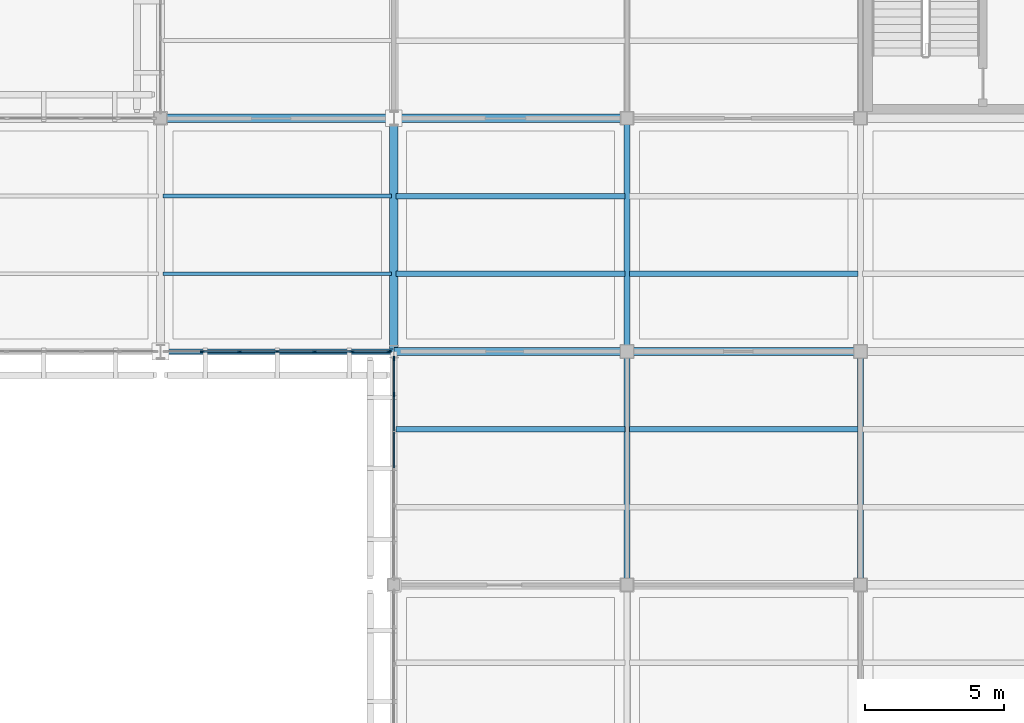
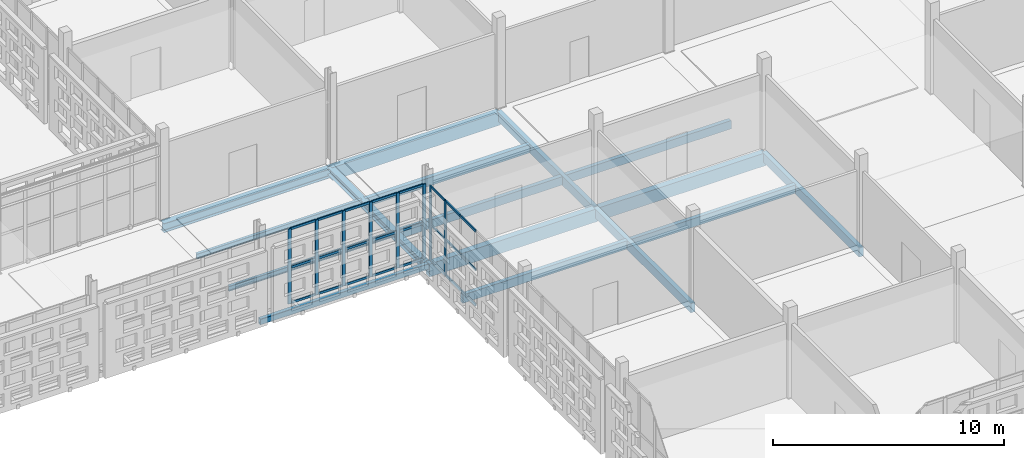
# One storey, part 79 of 203: 32 members, 16 beams, 2 elements without a shape of their own.
"""IFC4 building model written with IfcOpenShell, lengths in metres."""

from ifc_helpers import new_model, si_unit, direction, frame, origin, origin_2d, place, context, subcontext, project, spatial, rectangle, hollow_rectangle, i_section, extrude, material, layer, layer_set, material_profile, profile_set, type_object, element, aggregate, save


model = new_model("IFC4")

# Units and contexts
model_context = context("Model", 3, precision=1e-05, world=origin(), true_north=direction((0.0, 1.0)))
body_context = subcontext(model_context, "Body", "Model", "MODEL_VIEW")
ifc_project = project(units=[si_unit("LENGTHUNIT", "METRE"), si_unit("AREAUNIT", "SQUARE_METRE"), si_unit("VOLUMEUNIT", "CUBIC_METRE"), si_unit("PLANEANGLEUNIT", "RADIAN"), si_unit("MASSUNIT", "GRAM", prefix="KILO")], contexts=[model_context])

# Site, building, storey
site_placement = place(None, origin())
site = spatial("IfcSite", under=ifc_project, at=site_placement, CompositionType="ELEMENT")
building_placement = place(site_placement, origin())
building = spatial("IfcBuilding", under=site, at=building_placement, Name="Varnapada Polytechnic", CompositionType="ELEMENT")
storey_placement = place(building_placement, frame((0.0, 0.0, 4.800048828125)))
storey = spatial("IfcBuildingStorey", under=building, at=storey_placement, Name="L01", CompositionType="ELEMENT", Elevation=4.800048828125)

# Beams
ifc_material_1 = material(Name="Glulam GL32h", Category="wood")
ifc_material_profile_1 = material_profile(ifc_material_1, rectangle(XDim=0.199951171875, YDim=0.43994140625, at=origin_2d()), Name="GL 200x440")
ifc_profile_set_1 = profile_set([ifc_material_profile_1], Name="Glulam GL32h")
beam_type_1 = type_object("IfcBeamType", Name="Heavy laboratory glulam joist GJ-03 (GL 200x440)", PredefinedType="JOIST", material=ifc_profile_set_1)
for number, where, z_axis, x_axis, name in (
    (1, (134.47998046875, 81.199951171875, -0.469970703125), (1.0, 0.0, 0.0), (0.0, 1.0, 0.0), "L01 floor joist 17/10.2"),
    (2, (134.47998046875, 86.800048828125, -0.47998046875), (1.0, 0.0, 0.0), (0.0, 1.0, 0.0), "L01 floor joist 17/11.1"),
    (3, (134.47998046875, 89.60009765625, -0.47998046875), (1.0, 0.0, 0.0), (0.0, 1.0, 0.0), "L01 floor joist 17/11.2"),
):
    element("IfcBeam", number, at=place(storey_placement, frame(where, z_axis=z_axis, x_axis=x_axis)), inside=storey, type_object=beam_type_1, Name=name, PredefinedType="JOIST", context=body_context, shape_type="SweptSolid", body=[
        extrude(rectangle(XDim=0.199951171875, YDim=0.43994140625, at=origin_2d()), origin(), (0.0, 0.0, 1.0), 8.239990234375),
    ])
for number, where, z_axis, x_axis, name in (
    (4, (142.8798828125, 81.199951171875, -0.469970703125), (1.0, 0.0, 0.0), (0.0, 1.0, 0.0), "L01 floor joist 18/10.2"),
    (5, (142.8798828125, 86.800048828125, -0.469970703125), (1.0, 0.0, 0.0), (0.0, 1.0, 0.0), "L01 floor joist 18/11.1"),
):
    element("IfcBeam", number, at=place(storey_placement, frame(where, z_axis=z_axis, x_axis=x_axis)), inside=storey, type_object=beam_type_1, Name=name, PredefinedType="JOIST", context=body_context, shape_type="SweptSolid", body=[
        extrude(rectangle(XDim=0.199951171875, YDim=0.43994140625, at=origin_2d()), origin(), (0.0, 0.0, 1.0), 8.240234375),
    ])
ifc_material_2 = material(Name="Steel S355", Category="steel")
ifc_material_profile_2 = material_profile(ifc_material_2, i_section(OverallWidth=0.135009765625, OverallDepth=0.27001953125, WebThickness=0.006591796875, FlangeThickness=0.01025390625, FilletRadius=0.014892578125, at=origin_2d()), Name="IPE 270")
ifc_profile_set_2 = profile_set([ifc_material_profile_2], Name="Steel S355")
beam_type_2 = type_object("IfcBeamType", Name="Mezzanine heavy steel joist SJ-03 (IPE 270)", PredefinedType="JOIST", material=ifc_profile_set_2)
for number, where, z_axis, x_axis, name in (
    (6, (126.080078125, 86.800048828125, -0.39501953125), (1.0, 0.0, 0.0), (0.0, 1.0, 0.0), "L01 floor joist 16/11.1"),
    (7, (126.080078125, 89.60009765625, -0.39501953125), (1.0, 0.0, 0.0), (0.0, 1.0, 0.0), "L01 floor joist 16/11.2"),
):
    element("IfcBeam", number, at=place(storey_placement, frame(where, z_axis=z_axis, x_axis=x_axis)), inside=storey, type_object=beam_type_2, Name=name, PredefinedType="JOIST", context=body_context, shape_type="SweptSolid", body=[
        extrude(i_section(OverallWidth=0.135009765625, OverallDepth=0.27001953125, WebThickness=0.006591796875, FlangeThickness=0.01025390625, FilletRadius=0.014892578125, at=origin_2d()), origin(), (0.0, 0.0, 1.0), 8.239990234375),
    ])

# Curtain wall, members
ifc_material_3 = material(Name="Double low-E laminated glass", Category="glass")
ifc_layer = layer(ifc_material_3, 0.159912109375)
ifc_layer_set = layer_set([ifc_layer], Name="Double low-E laminated glass")
curtain_wall_type = type_object("IfcCurtainWallType", Name="Curtain Wall CW-01", PredefinedType="NOTDEFINED", material=ifc_layer_set)
curtain_wall_1_placement = place(storey_placement, origin())
curtain_wall_1 = element("IfcCurtainWall", 8, at=curtain_wall_1_placement, inside=storey, type_object=curtain_wall_type, Name="L01 unitised curtain wall CW-01 (96)", PredefinedType="NOTDEFINED")
ifc_material_4 = material(Name="Anodised aluminium", Category="aluminium")
ifc_material_profile_3 = material_profile(ifc_material_4, rectangle(XDim=0.06005859375, YDim=0.159912109375, at=origin_2d()), Name="ALU M60x160")
ifc_profile_set_3 = profile_set([ifc_material_profile_3], Name="Anodised aluminium")
member_type_1 = type_object("IfcMemberType", Name="Mullion M-01", PredefinedType="MULLION", material=ifc_profile_set_3)
member_1_placement = place(storey_placement, frame((134.219970703125, 84.0, 0.0), z_axis=(0.0, 0.0, 1.0), x_axis=(0.0, -1.0, 0.0)))
member_1 = element("IfcMember", 9, at=member_1_placement, type_object=member_type_1, Name="CW-01 mullion 1", PredefinedType="MULLION", context=body_context, shape_type="SweptSolid", body=[
    extrude(rectangle(XDim=0.06005859375, YDim=0.159912109375, at=origin_2d()), origin(), (0.0, 0.0, 1.0), 3.9599609375),
])
member_2_placement = place(storey_placement, frame((132.89990234375, 84.0, 0.0), z_axis=(0.0, 0.0, 1.0), x_axis=(0.0, -1.0, 0.0)))
member_2 = element("IfcMember", 10, at=member_2_placement, type_object=member_type_1, Name="CW-01 mullion 2", PredefinedType="MULLION", context=body_context, shape_type="SweptSolid", body=[
    extrude(rectangle(XDim=0.06005859375, YDim=0.159912109375, at=origin_2d()), origin(), (0.0, 0.0, 1.0), 3.9599609375),
])
member_3_placement = place(storey_placement, frame((131.550048828125, 84.0, 0.0), z_axis=(0.0, 0.0, 1.0), x_axis=(0.0, -1.0, 0.0)))
member_3 = element("IfcMember", 11, at=member_3_placement, type_object=member_type_1, Name="CW-01 mullion 3", PredefinedType="MULLION", context=body_context, shape_type="SweptSolid", body=[
    extrude(rectangle(XDim=0.06005859375, YDim=0.159912109375, at=origin_2d()), origin(), (0.0, 0.0, 1.0), 3.9599609375),
])
member_4_placement = place(storey_placement, frame((130.199951171875, 84.0, 0.0), z_axis=(0.0, 0.0, 1.0), x_axis=(0.0, -1.0, 0.0)))
member_4 = element("IfcMember", 12, at=member_4_placement, type_object=member_type_1, Name="CW-01 mullion 4", PredefinedType="MULLION", context=body_context, shape_type="SweptSolid", body=[
    extrude(rectangle(XDim=0.06005859375, YDim=0.159912109375, at=origin_2d()), origin(), (0.0, 0.0, 1.0), 3.9599609375),
])
member_5_placement = place(storey_placement, frame((128.85009765625, 84.0, 0.0), z_axis=(0.0, 0.0, 1.0), x_axis=(0.0, -1.0, 0.0)))
member_5 = element("IfcMember", 13, at=member_5_placement, type_object=member_type_1, Name="CW-01 mullion 5", PredefinedType="MULLION", context=body_context, shape_type="SweptSolid", body=[
    extrude(rectangle(XDim=0.06005859375, YDim=0.159912109375, at=origin_2d()), origin(), (0.0, 0.0, 1.0), 3.9599609375),
])
member_6_placement = place(storey_placement, frame((127.5, 84.0, 0.0), z_axis=(0.0, 0.0, 1.0), x_axis=(0.0, -1.0, 0.0)))
member_6 = element("IfcMember", 14, at=member_6_placement, type_object=member_type_1, Name="CW-01 mullion 6", PredefinedType="MULLION", context=body_context, shape_type="SweptSolid", body=[
    extrude(rectangle(XDim=0.06005859375, YDim=0.159912109375, at=origin_2d()), origin(), (0.0, 0.0, 1.0), 3.9599609375),
])

curtain_wall_2_placement = place(storey_placement, origin())
curtain_wall_2 = element("IfcCurtainWall", 15, at=curtain_wall_2_placement, inside=storey, type_object=curtain_wall_type, Name="L01 unitised curtain wall CW-01 (104)", PredefinedType="NOTDEFINED")
member_7_placement = place(storey_placement, frame((134.39990234375, 82.45166015625, 0.0), z_axis=(0.0, 0.0, 1.0), x_axis=(-1.0, 0.0, 0.0)))
member_7 = element("IfcMember", 16, at=member_7_placement, type_object=member_type_1, Name="CW-01 mullion 6", PredefinedType="MULLION", context=body_context, shape_type="SweptSolid", body=[
    extrude(rectangle(XDim=0.06005859375, YDim=0.159912109375, at=origin_2d()), origin(), (0.0, 0.0, 1.0), 3.9599609375),
])
member_8_placement = place(storey_placement, frame((134.39990234375, 83.75, 0.0), z_axis=(0.0, 0.0, 1.0), x_axis=(-1.0, 0.0, 0.0)))
member_8 = element("IfcMember", 17, at=member_8_placement, type_object=member_type_1, Name="CW-01 mullion 7", PredefinedType="MULLION", context=body_context, shape_type="SweptSolid", body=[
    extrude(rectangle(XDim=0.06005859375, YDim=0.159912109375, at=origin_2d()), origin(), (0.0, 0.0, 1.0), 3.9599609375),
])

# Beam
ifc_material_profile_4 = material_profile(ifc_material_2, i_section(OverallWidth=0.300048828125, OverallDepth=0.389892578125, WebThickness=0.010986328125, FlangeThickness=0.01904296875, FilletRadius=0.027099609375, at=origin_2d()), Name="HEA 400")
ifc_profile_set_4 = profile_set([ifc_material_profile_4], Name="Steel S355")
beam_type_3 = type_object("IfcBeamType", Name="Steel roof primary girder SG-01 (HEA 400)", PredefinedType="BEAM", material=ifc_profile_set_4)
beam_1_placement = place(storey_placement, frame((134.39990234375, 84.0, -0.455078125), z_axis=(0.0, 1.0, 0.0), x_axis=(-1.0, 0.0, 0.0)))
element("IfcBeam", 18, at=beam_1_placement, inside=storey, type_object=beam_type_3, Name="L01 beam Y 11-12 at X17", PredefinedType="BEAM", context=body_context, shape_type="SweptSolid", body=[
    extrude(i_section(OverallWidth=0.300048828125, OverallDepth=0.389892578125, WebThickness=0.010986328125, FlangeThickness=0.01904296875, FilletRadius=0.027099609375, at=origin_2d()), origin(), (0.0, 0.0, 1.0), 8.39990234375),
])

# Member
ifc_material_profile_5 = material_profile(ifc_material_4, rectangle(XDim=0.06005859375, YDim=0.1201171875, at=origin_2d()), Name="ALU T60x120")
ifc_profile_set_5 = profile_set([ifc_material_profile_5], Name="Anodised aluminium")
member_type_2 = type_object("IfcMemberType", Name="Transom T-01", PredefinedType="USERDEFINED", material=ifc_profile_set_5)
member_9_placement = place(storey_placement, frame((134.18994140625, 84.0, 0.030029296875), z_axis=(-1.0, 0.0, 0.0), x_axis=(0.0, -1.0, 0.0)))
member_9 = element("IfcMember", 19, at=member_9_placement, type_object=member_type_2, Name="CW-01 transom 1.1", ObjectType="TRANSOM", PredefinedType="USERDEFINED", context=body_context, shape_type="SweptSolid", body=[
    extrude(rectangle(XDim=0.06005859375, YDim=0.1201171875, at=origin_2d()), origin(), (0.0, 0.0, 1.0), 1.260009765625),
])

member_10_placement = place(storey_placement, frame((134.18994140625, 84.0, 1.900634765625), z_axis=(-1.0, 0.0, 0.0), x_axis=(0.0, -1.0, 0.0)))
member_10 = element("IfcMember", 20, at=member_10_placement, type_object=member_type_2, Name="CW-01 transom 1.2", ObjectType="TRANSOM", PredefinedType="USERDEFINED", context=body_context, shape_type="SweptSolid", body=[
    extrude(rectangle(XDim=0.06005859375, YDim=0.1201171875, at=origin_2d()), origin(), (0.0, 0.0, 1.0), 1.260009765625),
])

member_11_placement = place(storey_placement, frame((134.18994140625, 84.0, 3.929931640625), z_axis=(-1.0, 0.0, 0.0), x_axis=(0.0, -1.0, 0.0)))
member_11 = element("IfcMember", 21, at=member_11_placement, type_object=member_type_2, Name="CW-01 transom 1.3", ObjectType="TRANSOM", PredefinedType="USERDEFINED", context=body_context, shape_type="SweptSolid", body=[
    extrude(rectangle(XDim=0.06005859375, YDim=0.1201171875, at=origin_2d()), origin(), (0.0, 0.0, 1.0), 1.260009765625),
])

member_12_placement = place(storey_placement, frame((132.8701171875, 84.0, 0.030029296875), z_axis=(-1.0, 0.0, 0.0), x_axis=(0.0, -1.0, 0.0)))
member_12 = element("IfcMember", 22, at=member_12_placement, type_object=member_type_2, Name="CW-01 transom 2.1", ObjectType="TRANSOM", PredefinedType="USERDEFINED", context=body_context, shape_type="SweptSolid", body=[
    extrude(rectangle(XDim=0.06005859375, YDim=0.1201171875, at=origin_2d()), origin(), (0.0, 0.0, 1.0), 1.2900390625),
])

member_13_placement = place(storey_placement, frame((132.8701171875, 84.0, 1.900634765625), z_axis=(-1.0, 0.0, 0.0), x_axis=(0.0, -1.0, 0.0)))
member_13 = element("IfcMember", 23, at=member_13_placement, type_object=member_type_2, Name="CW-01 transom 2.2", ObjectType="TRANSOM", PredefinedType="USERDEFINED", context=body_context, shape_type="SweptSolid", body=[
    extrude(rectangle(XDim=0.06005859375, YDim=0.1201171875, at=origin_2d()), origin(), (0.0, 0.0, 1.0), 1.2900390625),
])

member_14_placement = place(storey_placement, frame((132.8701171875, 84.0, 3.929931640625), z_axis=(-1.0, 0.0, 0.0), x_axis=(0.0, -1.0, 0.0)))
member_14 = element("IfcMember", 24, at=member_14_placement, type_object=member_type_2, Name="CW-01 transom 2.3", ObjectType="TRANSOM", PredefinedType="USERDEFINED", context=body_context, shape_type="SweptSolid", body=[
    extrude(rectangle(XDim=0.06005859375, YDim=0.1201171875, at=origin_2d()), origin(), (0.0, 0.0, 1.0), 1.2900390625),
])

member_15_placement = place(storey_placement, frame((131.52001953125, 84.0, 0.030029296875), z_axis=(-1.0, 0.0, 0.0), x_axis=(0.0, -1.0, 0.0)))
member_15 = element("IfcMember", 25, at=member_15_placement, type_object=member_type_2, Name="CW-01 transom 3.1", ObjectType="TRANSOM", PredefinedType="USERDEFINED", context=body_context, shape_type="SweptSolid", body=[
    extrude(rectangle(XDim=0.06005859375, YDim=0.1201171875, at=origin_2d()), origin(), (0.0, 0.0, 1.0), 1.2900390625),
])

member_16_placement = place(storey_placement, frame((131.52001953125, 84.0, 1.900634765625), z_axis=(-1.0, 0.0, 0.0), x_axis=(0.0, -1.0, 0.0)))
member_16 = element("IfcMember", 26, at=member_16_placement, type_object=member_type_2, Name="CW-01 transom 3.2", ObjectType="TRANSOM", PredefinedType="USERDEFINED", context=body_context, shape_type="SweptSolid", body=[
    extrude(rectangle(XDim=0.06005859375, YDim=0.1201171875, at=origin_2d()), origin(), (0.0, 0.0, 1.0), 1.2900390625),
])

member_17_placement = place(storey_placement, frame((131.52001953125, 84.0, 3.929931640625), z_axis=(-1.0, 0.0, 0.0), x_axis=(0.0, -1.0, 0.0)))
member_17 = element("IfcMember", 27, at=member_17_placement, type_object=member_type_2, Name="CW-01 transom 3.3", ObjectType="TRANSOM", PredefinedType="USERDEFINED", context=body_context, shape_type="SweptSolid", body=[
    extrude(rectangle(XDim=0.06005859375, YDim=0.1201171875, at=origin_2d()), origin(), (0.0, 0.0, 1.0), 1.2900390625),
])

member_18_placement = place(storey_placement, frame((130.169921875, 84.0, 0.030029296875), z_axis=(-1.0, 0.0, 0.0), x_axis=(0.0, -1.0, 0.0)))
member_18 = element("IfcMember", 28, at=member_18_placement, type_object=member_type_2, Name="CW-01 transom 4.1", ObjectType="TRANSOM", PredefinedType="USERDEFINED", context=body_context, shape_type="SweptSolid", body=[
    extrude(rectangle(XDim=0.06005859375, YDim=0.1201171875, at=origin_2d()), origin(), (0.0, 0.0, 1.0), 1.2900390625),
])

member_19_placement = place(storey_placement, frame((130.169921875, 84.0, 1.900634765625), z_axis=(-1.0, 0.0, 0.0), x_axis=(0.0, -1.0, 0.0)))
member_19 = element("IfcMember", 29, at=member_19_placement, type_object=member_type_2, Name="CW-01 transom 4.2", ObjectType="TRANSOM", PredefinedType="USERDEFINED", context=body_context, shape_type="SweptSolid", body=[
    extrude(rectangle(XDim=0.06005859375, YDim=0.1201171875, at=origin_2d()), origin(), (0.0, 0.0, 1.0), 1.2900390625),
])

member_20_placement = place(storey_placement, frame((130.169921875, 84.0, 3.929931640625), z_axis=(-1.0, 0.0, 0.0), x_axis=(0.0, -1.0, 0.0)))
member_20 = element("IfcMember", 30, at=member_20_placement, type_object=member_type_2, Name="CW-01 transom 4.3", ObjectType="TRANSOM", PredefinedType="USERDEFINED", context=body_context, shape_type="SweptSolid", body=[
    extrude(rectangle(XDim=0.06005859375, YDim=0.1201171875, at=origin_2d()), origin(), (0.0, 0.0, 1.0), 1.2900390625),
])

member_21_placement = place(storey_placement, frame((128.820068359375, 84.0, 0.030029296875), z_axis=(-1.0, 0.0, 0.0), x_axis=(0.0, -1.0, 0.0)))
member_21 = element("IfcMember", 31, at=member_21_placement, type_object=member_type_2, Name="CW-01 transom 5.1", ObjectType="TRANSOM", PredefinedType="USERDEFINED", context=body_context, shape_type="SweptSolid", body=[
    extrude(rectangle(XDim=0.06005859375, YDim=0.1201171875, at=origin_2d()), origin(), (0.0, 0.0, 1.0), 1.2900390625),
])

member_22_placement = place(storey_placement, frame((128.820068359375, 84.0, 1.900634765625), z_axis=(-1.0, 0.0, 0.0), x_axis=(0.0, -1.0, 0.0)))
member_22 = element("IfcMember", 32, at=member_22_placement, type_object=member_type_2, Name="CW-01 transom 5.2", ObjectType="TRANSOM", PredefinedType="USERDEFINED", context=body_context, shape_type="SweptSolid", body=[
    extrude(rectangle(XDim=0.06005859375, YDim=0.1201171875, at=origin_2d()), origin(), (0.0, 0.0, 1.0), 1.2900390625),
])

member_23_placement = place(storey_placement, frame((128.820068359375, 84.0, 3.929931640625), z_axis=(-1.0, 0.0, 0.0), x_axis=(0.0, -1.0, 0.0)))
member_23 = element("IfcMember", 33, at=member_23_placement, type_object=member_type_2, Name="CW-01 transom 5.3", ObjectType="TRANSOM", PredefinedType="USERDEFINED", context=body_context, shape_type="SweptSolid", body=[
    extrude(rectangle(XDim=0.06005859375, YDim=0.1201171875, at=origin_2d()), origin(), (0.0, 0.0, 1.0), 1.2900390625),
])

aggregate(curtain_wall_1, [member_1, member_2, member_3, member_4, member_5, member_6, member_9, member_10, member_11, member_12, member_13, member_14, member_15, member_16, member_17, member_18, member_19, member_20, member_21, member_22, member_23])

member_24_placement = place(storey_placement, frame((134.39990234375, 79.824951171875, 0.030029296875), z_axis=(0.0, 1.0, 0.0), x_axis=(-1.0, 0.0, 0.0)))
member_24 = element("IfcMember", 34, at=member_24_placement, type_object=member_type_2, Name="CW-01 transom 4.1", ObjectType="TRANSOM", PredefinedType="USERDEFINED", context=body_context, shape_type="SweptSolid", body=[
    extrude(rectangle(XDim=0.06005859375, YDim=0.1201171875, at=origin_2d()), origin(), (0.0, 0.0, 1.0), 1.268310546875),
])

member_25_placement = place(storey_placement, frame((134.39990234375, 79.824951171875, 1.900634765625), z_axis=(0.0, 1.0, 0.0), x_axis=(-1.0, 0.0, 0.0)))
member_25 = element("IfcMember", 35, at=member_25_placement, type_object=member_type_2, Name="CW-01 transom 4.2", ObjectType="TRANSOM", PredefinedType="USERDEFINED", context=body_context, shape_type="SweptSolid", body=[
    extrude(rectangle(XDim=0.06005859375, YDim=0.1201171875, at=origin_2d()), origin(), (0.0, 0.0, 1.0), 1.268310546875),
])

member_26_placement = place(storey_placement, frame((134.39990234375, 79.824951171875, 3.929931640625), z_axis=(0.0, 1.0, 0.0), x_axis=(-1.0, 0.0, 0.0)))
member_26 = element("IfcMember", 36, at=member_26_placement, type_object=member_type_2, Name="CW-01 transom 4.3", ObjectType="TRANSOM", PredefinedType="USERDEFINED", context=body_context, shape_type="SweptSolid", body=[
    extrude(rectangle(XDim=0.06005859375, YDim=0.1201171875, at=origin_2d()), origin(), (0.0, 0.0, 1.0), 1.268310546875),
])

member_27_placement = place(storey_placement, frame((134.39990234375, 81.1533203125, 0.030029296875), z_axis=(0.0, 1.0, 0.0), x_axis=(-1.0, 0.0, 0.0)))
member_27 = element("IfcMember", 37, at=member_27_placement, type_object=member_type_2, Name="CW-01 transom 5.1", ObjectType="TRANSOM", PredefinedType="USERDEFINED", context=body_context, shape_type="SweptSolid", body=[
    extrude(rectangle(XDim=0.06005859375, YDim=0.1201171875, at=origin_2d()), origin(), (0.0, 0.0, 1.0), 1.268310546875),
])

member_28_placement = place(storey_placement, frame((134.39990234375, 81.1533203125, 1.900634765625), z_axis=(0.0, 1.0, 0.0), x_axis=(-1.0, 0.0, 0.0)))
member_28 = element("IfcMember", 38, at=member_28_placement, type_object=member_type_2, Name="CW-01 transom 5.2", ObjectType="TRANSOM", PredefinedType="USERDEFINED", context=body_context, shape_type="SweptSolid", body=[
    extrude(rectangle(XDim=0.06005859375, YDim=0.1201171875, at=origin_2d()), origin(), (0.0, 0.0, 1.0), 1.268310546875),
])

member_29_placement = place(storey_placement, frame((134.39990234375, 81.1533203125, 3.929931640625), z_axis=(0.0, 1.0, 0.0), x_axis=(-1.0, 0.0, 0.0)))
member_29 = element("IfcMember", 39, at=member_29_placement, type_object=member_type_2, Name="CW-01 transom 5.3", ObjectType="TRANSOM", PredefinedType="USERDEFINED", context=body_context, shape_type="SweptSolid", body=[
    extrude(rectangle(XDim=0.06005859375, YDim=0.1201171875, at=origin_2d()), origin(), (0.0, 0.0, 1.0), 1.268310546875),
])

member_30_placement = place(storey_placement, frame((134.39990234375, 82.481689453125, 0.030029296875), z_axis=(0.0, 1.0, 0.0), x_axis=(-1.0, 0.0, 0.0)))
member_30 = element("IfcMember", 40, at=member_30_placement, type_object=member_type_2, Name="CW-01 transom 6.1", ObjectType="TRANSOM", PredefinedType="USERDEFINED", context=body_context, shape_type="SweptSolid", body=[
    extrude(rectangle(XDim=0.06005859375, YDim=0.1201171875, at=origin_2d()), origin(), (0.0, 0.0, 1.0), 1.23828125),
])

member_31_placement = place(storey_placement, frame((134.39990234375, 82.481689453125, 1.900634765625), z_axis=(0.0, 1.0, 0.0), x_axis=(-1.0, 0.0, 0.0)))
member_31 = element("IfcMember", 41, at=member_31_placement, type_object=member_type_2, Name="CW-01 transom 6.2", ObjectType="TRANSOM", PredefinedType="USERDEFINED", context=body_context, shape_type="SweptSolid", body=[
    extrude(rectangle(XDim=0.06005859375, YDim=0.1201171875, at=origin_2d()), origin(), (0.0, 0.0, 1.0), 1.23828125),
])

member_32_placement = place(storey_placement, frame((134.39990234375, 82.481689453125, 3.929931640625), z_axis=(0.0, 1.0, 0.0), x_axis=(-1.0, 0.0, 0.0)))
member_32 = element("IfcMember", 42, at=member_32_placement, type_object=member_type_2, Name="CW-01 transom 6.3", ObjectType="TRANSOM", PredefinedType="USERDEFINED", context=body_context, shape_type="SweptSolid", body=[
    extrude(rectangle(XDim=0.06005859375, YDim=0.1201171875, at=origin_2d()), origin(), (0.0, 0.0, 1.0), 1.23828125),
])

aggregate(curtain_wall_2, [member_7, member_8, member_24, member_25, member_26, member_27, member_28, member_29, member_30, member_31, member_32])

# Beams
ifc_material_profile_6 = material_profile(ifc_material_1, rectangle(XDim=0.219970703125, YDim=0.47998046875, at=origin_2d()), Name="GL 220x480")
ifc_profile_set_6 = profile_set([ifc_material_profile_6], Name="Glulam GL32h")
beam_type_4 = type_object("IfcBeamType", Name="Upper floor glulam tie beam GB-11 (GL 220x480)", PredefinedType="BEAM", material=ifc_profile_set_6)
for number, where, z_axis, x_axis, name in (
    (43, (142.800048828125, 75.60009765625, -0.489990234375), (0.0, 1.0, 0.0), (-1.0, 0.0, 0.0), "L01 beam Y 10-11 at X18"),
    (44, (142.800048828125, 84.0, -0.489990234375), (0.0, 1.0, 0.0), (-1.0, 0.0, 0.0), "L01 beam Y 11-12 at X18"),
    (45, (151.199951171875, 75.60009765625, -0.489990234375), (0.0, 1.0, 0.0), (-1.0, 0.0, 0.0), "L01 beam Y 10-11 at X19"),
):
    element("IfcBeam", number, at=place(storey_placement, frame(where, z_axis=z_axis, x_axis=x_axis)), inside=storey, type_object=beam_type_4, Name=name, PredefinedType="BEAM", context=body_context, shape_type="SweptSolid", body=[
        extrude(rectangle(XDim=0.219970703125, YDim=0.47998046875, at=origin_2d()), origin(), (0.0, 0.0, 1.0), 8.39990234375),
    ])
ifc_material_profile_7 = material_profile(ifc_material_1, rectangle(XDim=0.300048828125, YDim=0.679931640625, at=origin_2d()), Name="GL 300x680")
ifc_profile_set_7 = profile_set([ifc_material_profile_7], Name="Glulam GL32h")
beam_type_5 = type_object("IfcBeamType", Name="Wet laboratory glulam girder GG-04 (GL 300x680)", PredefinedType="BEAM", material=ifc_profile_set_7)
for number, where, z_axis, x_axis, name in (
    (46, (134.39990234375, 84.0, -0.60009765625), (1.0, 0.0, 0.0), (0.0, 1.0, 0.0), "L01 beam X 17-18 at Y11"),
    (47, (134.39990234375, 92.39990234375, -0.60009765625), (1.0, 0.0, 0.0), (0.0, 1.0, 0.0), "L01 beam X 17-18 at Y12"),
):
    element("IfcBeam", number, at=place(storey_placement, frame(where, z_axis=z_axis, x_axis=x_axis)), inside=storey, type_object=beam_type_5, Name=name, PredefinedType="BEAM", context=body_context, shape_type="SweptSolid", body=[
        extrude(rectangle(XDim=0.300048828125, YDim=0.679931640625, at=origin_2d()), origin(), (0.0, 0.0, 1.0), 8.400146484375),
    ])
beam_2_placement = place(storey_placement, frame((142.800048828125, 84.0, -0.590087890625), z_axis=(1.0, 0.0, 0.0), x_axis=(0.0, 1.0, 0.0)))
element("IfcBeam", 48, at=beam_2_placement, inside=storey, type_object=beam_type_5, Name="L01 beam X 18-19 at Y11", PredefinedType="BEAM", context=body_context, shape_type="SweptSolid", body=[
    extrude(rectangle(XDim=0.300048828125, YDim=0.679931640625, at=origin_2d()), origin(), (0.0, 0.0, 1.0), 8.39990234375),
])
ifc_material_profile_8 = material_profile(ifc_material_2, i_section(OverallWidth=0.300048828125, OverallDepth=0.489990234375, WebThickness=0.011962890625, FlangeThickness=0.02294921875, FilletRadius=0.027099609375, at=origin_2d()), Name="HEA 500")
ifc_profile_set_8 = profile_set([ifc_material_profile_8], Name="Steel S355")
beam_type_6 = type_object("IfcBeamType", Name="Workshop gallery edge girder CR-02 (HEA 500)", PredefinedType="BEAM", material=ifc_profile_set_8)
beam_3_placement = place(storey_placement, frame((126.0, 92.39990234375, -0.51513671875), z_axis=(1.0, 0.0, 0.0), x_axis=(0.0, 1.0, 0.0)))
element("IfcBeam", 49, at=beam_3_placement, inside=storey, type_object=beam_type_6, Name="L01 beam X 16-17 at Y12", PredefinedType="BEAM", context=body_context, shape_type="SweptSolid", body=[
    extrude(i_section(OverallWidth=0.300048828125, OverallDepth=0.489990234375, WebThickness=0.011962890625, FlangeThickness=0.02294921875, FilletRadius=0.027099609375, at=origin_2d()), origin(), (0.0, 0.0, 1.0), 8.39990234375),
])
ifc_material_profile_9 = material_profile(ifc_material_2, hollow_rectangle(XDim=0.199951171875, YDim=0.300048828125, WallThickness=0.010009765625, InnerFilletRadius=0.010009765625, OuterFilletRadius=0.02001953125, at=origin_2d()), Name="RHS 300x200x10")
ifc_profile_set_9 = profile_set([ifc_material_profile_9], Name="Steel S355")
beam_type_7 = type_object("IfcBeamType", Name="Workshop steel spandrel tie SP-03 (RHS 300x200x10)", PredefinedType="SPANDREL", material=ifc_profile_set_9)
beam_4_placement = place(storey_placement, frame((126.0, 84.0, -0.41015625), z_axis=(1.0, 0.0, 0.0), x_axis=(0.0, 1.0, 0.0)))
element("IfcBeam", 50, at=beam_4_placement, inside=storey, type_object=beam_type_7, Name="L01 beam X 16-17 at Y11", PredefinedType="SPANDREL", context=body_context, shape_type="SweptSolid", body=[
    extrude(hollow_rectangle(XDim=0.199951171875, YDim=0.300048828125, WallThickness=0.010009765625, InnerFilletRadius=0.010009765625, OuterFilletRadius=0.02001953125, at=origin_2d()), origin(), (0.0, 0.0, 1.0), 8.39990234375),
])

save(model, "model.ifc")
